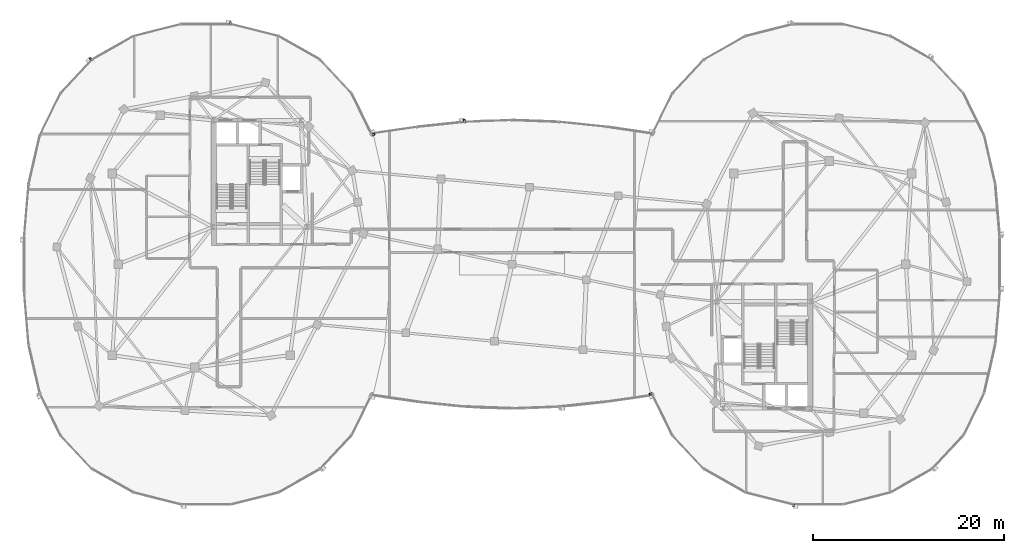
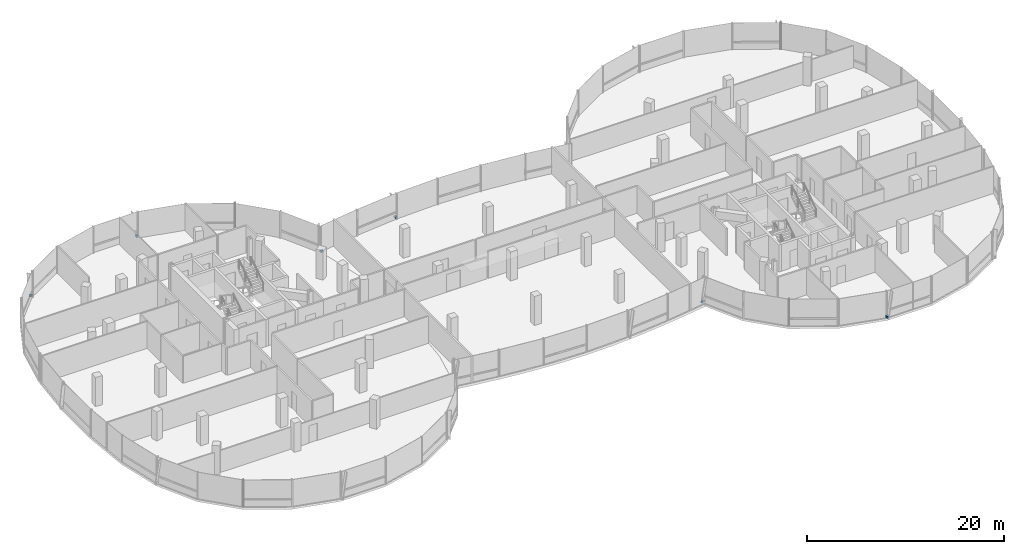
# One storey, part 19 of 26: 6 discrete accessories.
"""IFC4 building model written with IfcOpenShell, lengths in metres."""

from ifc_helpers import new_model, si_unit, direction, frame, origin, origin_2d, place, context, subcontext, project, spatial, rectangle, extrude, material, type_object, element, save


model = new_model("IFC4")

# Units and contexts
model_context = context("Model", 3, precision=1e-05, world=origin(), true_north=direction((0.0, 1.0)))
body_context = subcontext(model_context, "Body", "Model", "MODEL_VIEW")
ifc_project = project(units=[si_unit("LENGTHUNIT", "METRE"), si_unit("AREAUNIT", "SQUARE_METRE"), si_unit("VOLUMEUNIT", "CUBIC_METRE"), si_unit("PLANEANGLEUNIT", "RADIAN"), si_unit("MASSUNIT", "GRAM", prefix="KILO"), si_unit("THERMODYNAMICTEMPERATUREUNIT", "KELVIN"), si_unit("POWERUNIT", "WATT")], contexts=[model_context])

# Site, building, storey
site_placement = place(None, origin())
site = spatial("IfcSite", under=ifc_project, at=site_placement, CompositionType="ELEMENT")
building_placement = place(site_placement, origin())
building = spatial("IfcBuilding", under=site, at=building_placement, Name="Cundina Bronze Exchange", CompositionType="ELEMENT")
storey_placement = place(building_placement, frame((0.0, 0.0, 264.800048828125)))
storey = spatial("IfcBuildingStorey", under=building, at=storey_placement, Name="L70", CompositionType="ELEMENT", Elevation=264.800048828125)

# Discrete accessories
ifc_material = material(Name="Anodised Bronze Aluminium 6063-T6", Category="aluminium")
discrete_accessory_type = type_object("IfcDiscreteAccessoryType", Name="ACC-BRK-FIN", PredefinedType="BRACKET", material=ifc_material)
for number, where, z_axis, x_axis, name in (
    (1, (-14.505126953125, 13.565673828125, 0.10009765625), (0.0, 0.0, 1.0), (-0.440503330345, 0.897750976582, 0.0), "L70 Fin Support Bracket 1"),
    (2, (-29.423583984375, 25.25, 0.10009765625), (0.0, 0.0, 1.0), (-1.0, 0.0, 0.0), "L70 Fin Support Bracket 5"),
    (3, (-44.042236328125, 21.4755859375, 0.10009765625), (0.0, 0.0, 1.0), (-0.684343512797, -0.72915976061, 0.0), "L70 Fin Support Bracket 1"),
    (4, (14.505126953125, -13.565673828125, 0.10009765625), (0.0, 0.0, 1.0), (0.440503330345, -0.897750976582, 0.0), "L70 Fin Support Bracket 1"),
    (5, (29.423583984375, -25.25, 0.10009765625), (0.0, 0.0, 1.0), (1.0, 0.0, 0.0), "L70 Fin Support Bracket 5"),
    (6, (-5.003173828125, 15.01953125, 0.10009765625), (0.0, 0.0, 1.0), (-0.994672274174, -0.103087666525, 0.0), "L70 Fin Support Bracket 5"),
):
    element("IfcDiscreteAccessory", number, at=place(storey_placement, frame(where, z_axis=z_axis, x_axis=x_axis)), inside=storey, type_object=discrete_accessory_type, Name=name, PredefinedType="BRACKET", context=body_context, shape_type="SweptSolid", body=[
        extrude(rectangle(XDim=0.219970703125, YDim=0.320068359375, at=origin_2d()), origin(), (0.0, 0.0, 1.0), 0.239990234375),
    ])

save(model, "model.ifc")
